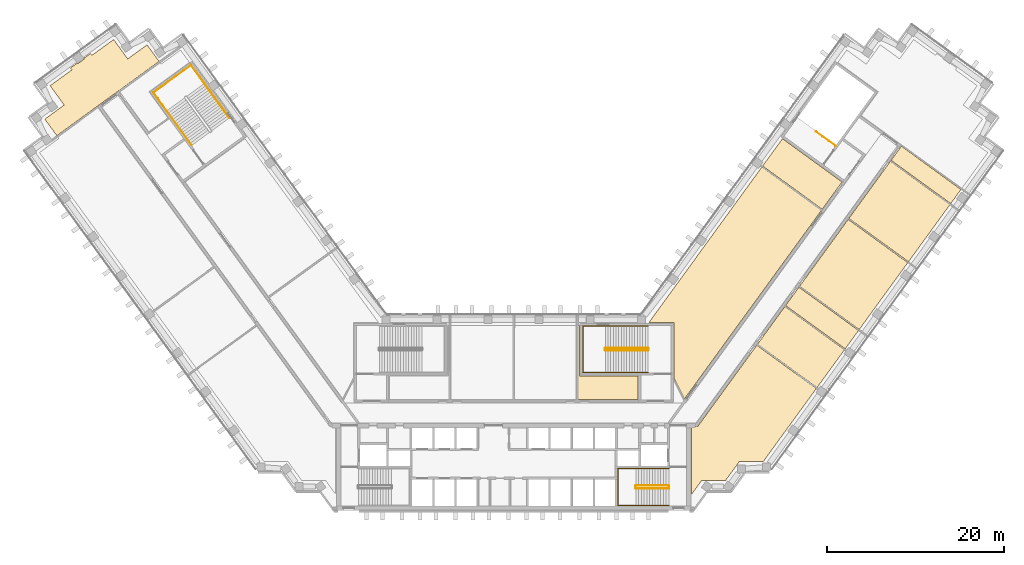
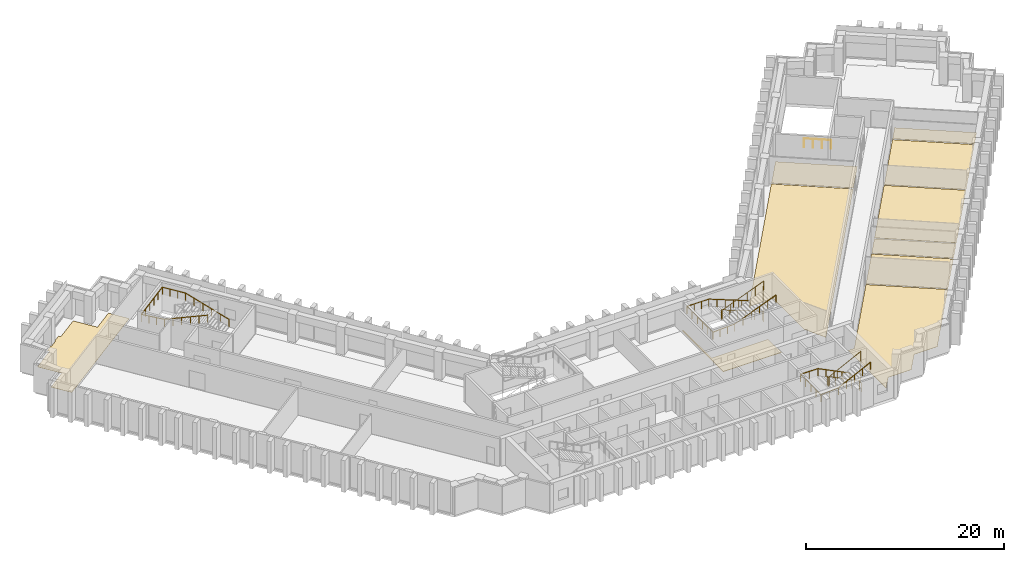
# One storey, part 11 of 12: 10 coverings, 6 railings.
"""IFC4 building model written with IfcOpenShell, lengths in metres."""

from ifc_helpers import new_model, si_unit, direction, frame, origin, origin_2d, place, context, subcontext, project, spatial, polyline, circle, outline, extrude, material, layer, layer_set, type_object, element, save


model = new_model("IFC4")

# Units and contexts
model_context = context("Model", 3, precision=1e-05, world=origin(), true_north=direction((0.0, 1.0)))
body_context = subcontext(model_context, "Body", "Model", "MODEL_VIEW")
ifc_project = project(units=[si_unit("LENGTHUNIT", "METRE"), si_unit("AREAUNIT", "SQUARE_METRE"), si_unit("VOLUMEUNIT", "CUBIC_METRE"), si_unit("PLANEANGLEUNIT", "RADIAN"), si_unit("MASSUNIT", "GRAM", prefix="KILO")], contexts=[model_context])

# Site, building, storey
site_placement = place(None, origin())
site = spatial("IfcSite", under=ifc_project, at=site_placement, CompositionType="ELEMENT")
building_placement = place(site_placement, origin())
building = spatial("IfcBuilding", under=site, at=building_placement, Name="Quipu Civic Tower", CompositionType="ELEMENT")
storey_placement = place(building_placement, frame((0.0, 0.0, 75.0)))
storey = spatial("IfcBuildingStorey", under=building, at=storey_placement, Name="L17", CompositionType="ELEMENT", Elevation=75.0)

# Coverings
ifc_material_1 = material(Name="Carpet tile on raised access floor")
ifc_layer_1 = layer(ifc_material_1, 0.02001953125)
ifc_layer_set_1 = layer_set([ifc_layer_1], Name="Carpet tile on raised access floor")
covering_type_1 = type_object("IfcCoveringType", Name="Carpet tile floor finish 20", PredefinedType="FLOORING", material=ifc_layer_set_1)
covering_1_placement = place(storey_placement, origin())
element("IfcCovering", 1, at=covering_1_placement, inside=storey, type_object=covering_type_1, Name="Carpet tile floor finish 20", PredefinedType="FLOORING", context=body_context, shape_type="SweptSolid", body=[
    extrude(outline(polyline([(27.4990234375, 7.73388671875), (30.590087890625, 11.989990234375), (37.31298828125, 7.10595703125), (34.221923828125, 2.85107421875), (27.4990234375, 7.73388671875)])), origin(), (0.0, 0.0, 1.0), 0.02001953125),
])
covering_2_placement = place(storey_placement, origin())
element("IfcCovering", 2, at=covering_2_placement, inside=storey, type_object=covering_type_1, Name="Carpet tile floor finish 20", PredefinedType="FLOORING", context=body_context, shape_type="SweptSolid", body=[
    extrude(outline(polyline([(37.81396484375, 21.93310546875), (42.491943359375, 28.373046875), (49.216064453125, 23.489013671875), (44.5380859375, 17.049072265625), (37.81396484375, 21.93310546875)])), origin(), (0.0, 0.0, 1.0), 0.02001953125),
])
covering_3_placement = place(storey_placement, origin())
element("IfcCovering", 3, at=covering_3_placement, inside=storey, type_object=covering_type_1, Name="Carpet tile floor finish 20", PredefinedType="FLOORING", context=body_context, shape_type="SweptSolid", body=[
    extrude(outline(polyline([(15.238037109375, 10.169921875), (27.99609375, 27.72998046875), (34.719970703125, 22.845947265625), (19.27197265625, 1.583984375), (18.070068359375, 3.94189453125), (18.070068359375, 10.1689453125), (15.238037109375, 10.169921875)])), origin(), (0.0, 0.0, 1.0), 0.02001953125),
])
covering_4_placement = place(storey_placement, origin())
element("IfcCovering", 4, at=covering_4_placement, inside=storey, type_object=covering_type_1, Name="Carpet tile floor finish 20", PredefinedType="FLOORING", context=body_context, shape_type="SweptSolid", body=[
    extrude(outline(polyline([(-52.883056640625, 33.12890625), (-50.698974609375, 34.717041015625), (-52.284912109375, 36.90087890625), (-49.826904296875, 38.68603515625), (-49.97900390625, 38.89697265625), (-49.259033203125, 39.4208984375), (-49.236083984375, 39.388916015625), (-49.23291015625, 39.385009765625), (-49.22900390625, 39.382080078125), (-49.22607421875, 39.3779296875), (-49.220947265625, 39.3759765625), (-49.217041015625, 39.373046875), (-49.212890625, 39.37109375), (-49.2080078125, 39.3701171875), (-49.202880859375, 39.368896484375), (-49.197998046875, 39.367919921875), (-49.193115234375, 39.367919921875), (-49.18896484375, 39.368896484375), (-49.18408203125, 39.3701171875), (-49.178955078125, 39.37109375), (-49.174072265625, 39.373046875), (-49.169921875, 39.375), (-49.166015625, 39.3779296875), (-48.43798828125, 39.906982421875), (-48.43408203125, 39.909912109375), (-48.430908203125, 39.9130859375), (-48.427001953125, 39.9169921875), (-48.425048828125, 39.9208984375), (-48.422119140625, 39.926025390625), (-48.419921875, 39.929931640625), (-48.4189453125, 39.93505859375), (-48.41796875, 39.93994140625), (-48.4169921875, 39.944091796875), (-48.4169921875, 39.948974609375), (-48.41796875, 39.9541015625), (-48.4189453125, 39.958984375), (-48.419921875, 39.964111328125), (-48.422119140625, 39.968017578125), (-48.424072265625, 39.972900390625), (-48.427001953125, 39.97705078125), (-48.449951171875, 40.008056640625), (-47.72900390625, 40.531982421875), (-47.574951171875, 40.322021484375), (-45.116943359375, 42.10791015625), (-43.531982421875, 39.925048828125), (-41.346923828125, 41.510986328125), (-39.989013671875, 39.64208984375), (-51.52587890625, 31.260009765625), (-52.883056640625, 33.12890625)])), origin(), (0.0, 0.0, 1.0), 0.02001953125),
])
covering_5_placement = place(storey_placement, origin())
element("IfcCovering", 5, at=covering_5_placement, inside=storey, type_object=covering_type_1, Name="Carpet tile floor finish 20", PredefinedType="FLOORING", context=body_context, shape_type="SweptSolid", body=[
    extrude(outline(polyline([(20.070068359375, -9.195068359375), (20.070068359375, -1.52001953125), (20.77490234375, -1.51904296875), (27.416015625, 7.62109375), (34.138916015625, 2.738037109375), (28.181884765625, -5.4609375), (25.48193359375, -5.4619140625), (25.2080078125, -5.840087890625), (25.205078125, -5.841064453125), (25.200927734375, -5.843017578125), (25.197021484375, -5.844970703125), (25.193115234375, -5.847900390625), (25.18896484375, -5.85205078125), (25.18603515625, -5.85498046875), (25.18310546875, -5.85888671875), (25.179931640625, -5.863037109375), (25.177978515625, -5.867919921875), (25.177001953125, -5.8720703125), (25.175048828125, -5.876953125), (25.175048828125, -5.882080078125), (25.174072265625, -5.885986328125), (23.89501953125, -7.64599609375), (21.721923828125, -7.64599609375), (21.721923828125, -7.64599609375), (21.718017578125, -7.64306640625), (21.712890625, -7.64111328125), (21.708984375, -7.638916015625), (21.7041015625, -7.637939453125), (21.698974609375, -7.636962890625), (21.694091796875, -7.635986328125), (21.68896484375, -7.636962890625), (21.68408203125, -7.636962890625), (21.679931640625, -7.637939453125), (21.675048828125, -7.639892578125), (21.669921875, -7.64111328125), (21.666015625, -7.64404296875), (21.6630859375, -7.64599609375), (21.196044921875, -7.64599609375), (20.070068359375, -9.195068359375)])), origin(), (0.0, 0.0, 1.0), 0.02001953125),
])
ifc_material_2 = material(Name="Ceramic floor tile")
ifc_layer_2 = layer(ifc_material_2, 0.030029296875)
ifc_layer_set_2 = layer_set([ifc_layer_2], Name="Ceramic floor tile")
covering_type_2 = type_object("IfcCoveringType", Name="Ceramic tile floor finish 30", PredefinedType="FLOORING", material=ifc_layer_set_2)
covering_6_placement = place(storey_placement, origin())
element("IfcCovering", 6, at=covering_6_placement, inside=storey, type_object=covering_type_2, Name="Ceramic tile floor finish 30", PredefinedType="FLOORING", context=body_context, shape_type="SweptSolid", body=[
    extrude(outline(polyline([(32.260009765625, 14.287109375), (37.73095703125, 21.820068359375), (44.455078125, 16.93603515625), (38.98291015625, 9.404052734375), (32.260009765625, 14.287109375)])), origin(), (0.0, 0.0, 1.0), 0.030029296875),
])
covering_7_placement = place(storey_placement, origin())
element("IfcCovering", 7, at=covering_7_placement, inside=storey, type_object=covering_type_2, Name="Ceramic tile floor finish 30", PredefinedType="FLOORING", context=body_context, shape_type="SweptSolid", body=[
    extrude(outline(polyline([(28.0791015625, 27.843017578125), (30.31494140625, 30.922119140625), (37.0380859375, 26.0380859375), (34.802001953125, 22.958984375), (28.0791015625, 27.843017578125)])), origin(), (0.0, 0.0, 1.0), 0.030029296875),
])
covering_8_placement = place(storey_placement, origin())
element("IfcCovering", 8, at=covering_8_placement, inside=storey, type_object=covering_type_2, Name="Ceramic tile floor finish 30", PredefinedType="FLOORING", context=body_context, shape_type="SweptSolid", body=[
    extrude(outline(polyline([(30.673095703125, 12.10302734375), (32.177001953125, 14.174072265625), (38.89990234375, 9.291015625), (37.39599609375, 7.218994140625), (30.673095703125, 12.10302734375)])), origin(), (0.0, 0.0, 1.0), 0.030029296875),
])
covering_9_placement = place(storey_placement, origin())
element("IfcCovering", 9, at=covering_9_placement, inside=storey, type_object=covering_type_2, Name="Ceramic tile floor finish 30", PredefinedType="FLOORING", context=body_context, shape_type="SweptSolid", body=[
    extrude(outline(polyline([(42.574951171875, 28.486083984375), (43.72998046875, 30.075927734375), (50.452880859375, 25.19189453125), (49.299072265625, 23.60205078125), (42.574951171875, 28.486083984375)])), origin(), (0.0, 0.0, 1.0), 0.030029296875),
])
ifc_material_3 = material(Name="Sealed cement screed")
ifc_layer_3 = layer(ifc_material_3, 0.050048828125)
ifc_layer_set_3 = layer_set([ifc_layer_3], Name="Sealed cement screed")
covering_type_3 = type_object("IfcCoveringType", Name="Sealed screed floor finish 50", PredefinedType="FLOORING", material=ifc_layer_set_3)
covering_10_placement = place(storey_placement, origin())
element("IfcCovering", 10, at=covering_10_placement, inside=storey, type_object=covering_type_3, Name="Sealed screed floor finish 50", PredefinedType="FLOORING", context=body_context, shape_type="SweptSolid", body=[
    extrude(outline(polyline([(7.26806640625, 1.52001953125), (7.26806640625, 9.830078125), (7.429931640625, 9.830078125), (7.429931640625, 4.180908203125), (14.030029296875, 4.179931640625), (14.030029296875, 1.52001953125), (7.26806640625, 1.52001953125)])), origin(), (0.0, 0.0, 1.0), 0.050048828125),
])

# Railings
ifc_material_4 = material(Name="Stainless steel", Category="steel")
railing_type_1 = type_object("IfcRailingType", Name="Stair guard 1100", PredefinedType="GUARDRAIL", material=ifc_material_4)
railing_1_placement = place(storey_placement, frame((17.5, -8.199951171875, 0.15380859375)))
element("IfcRailing", 11, at=railing_1_placement, inside=storey, type_object=railing_type_1, Name="Stair 2 guard", PredefinedType="GUARDRAIL", context=body_context, shape_type="SweptSolid", body=[
    extrude(circle(Radius=0.02392578125, at=origin_2d()), frame((0.0, 0.0, 1.076171875), z_axis=(-0.895751851347, 0.0, 0.444554407028), x_axis=(0.0, -1.0, 0.0)), (0.0, 0.0, 1.0), 4.15283203125),
    extrude(circle(Radius=0.02392578125, at=origin_2d()), frame((-3.719970703125, 0.0, 2.92236328125), z_axis=(-0.707106781187, -0.707106781187, 0.0), x_axis=(0.707106781187, -0.707106781187, 0.0)), (0.0, 0.0, 1.0), 0.07080078125),
    extrude(circle(Radius=0.02392578125, at=origin_2d()), frame((-3.77001953125, -0.050048828125, 2.92236328125), z_axis=(0.0, -1.0, 0.0), x_axis=(1.0, 0.0, 0.0)), (0.0, 0.0, 1.0), 0.25),
    extrude(circle(Radius=0.02392578125, at=origin_2d()), frame((-3.77001953125, -0.300048828125, 2.92236328125), z_axis=(0.295599637079, -0.295599637079, 0.908428152975), x_axis=(0.707106781187, 0.707106781187, 0.0)), (0.0, 0.0, 1.0), 0.16943359375),
    extrude(circle(Radius=0.02392578125, at=origin_2d()), frame((-3.719970703125, -0.35009765625, 3.076171875), z_axis=(0.895751851347, 0.0, 0.444554407028), x_axis=(0.0, 1.0, 0.0)), (0.0, 0.0, 1.0), 4.15283203125),
    extrude(circle(Radius=0.02392578125, at=origin_2d()), frame((0.0, -0.35009765625, 4.92236328125), z_axis=(0.012476181752, 0.074796231092, -0.997120789425), x_axis=(-0.986372223864, 0.164529134168, 0.0)), (0.0, 0.0, 1.0), 4.011474609375),
    extrude(circle(Radius=0.02392578125, at=origin_2d()), frame((0.050048828125, -0.050048828125, 0.92236328125), z_axis=(0.0, -1.0, 0.0), x_axis=(1.0, 0.0, 0.0)), (0.0, 0.0, 1.0), 0.25),
    extrude(circle(Radius=0.02099609375, at=origin_2d()), origin(), (0.0, 0.0, 1.0), 1.052001953125),
    extrude(circle(Radius=0.02099609375, at=origin_2d()), frame((-0.929931640625, 0.0, 0.46142578125)), (0.0, 0.0, 1.0), 1.052001953125),
    extrude(circle(Radius=0.02099609375, at=origin_2d()), frame((-1.85986328125, 0.0, 0.923095703125)), (0.0, 0.0, 1.0), 1.052001953125),
    extrude(circle(Radius=0.02099609375, at=origin_2d()), frame((-2.7900390625, 0.0, 1.384765625)), (0.0, 0.0, 1.0), 1.052001953125),
    extrude(circle(Radius=0.02099609375, at=origin_2d()), frame((-3.719970703125, 0.0, 1.84619140625)), (0.0, 0.0, 1.0), 1.052001953125),
    extrude(circle(Radius=0.02099609375, at=origin_2d()), frame((-3.77001953125, -0.050048828125, 1.84619140625)), (0.0, 0.0, 1.0), 1.052001953125),
    extrude(circle(Radius=0.02099609375, at=origin_2d()), frame((-3.77001953125, -0.300048828125, 1.84619140625)), (0.0, 0.0, 1.0), 1.052001953125),
    extrude(circle(Radius=0.02099609375, at=origin_2d()), frame((-3.719970703125, -0.35009765625, 2.0)), (0.0, 0.0, 1.0), 1.052001953125),
    extrude(circle(Radius=0.02099609375, at=origin_2d()), frame((-2.7900390625, -0.35009765625, 2.46142578125)), (0.0, 0.0, 1.0), 1.052001953125),
    extrude(circle(Radius=0.02099609375, at=origin_2d()), frame((-1.85986328125, -0.35009765625, 2.923095703125)), (0.0, 0.0, 1.0), 1.052001953125),
    extrude(circle(Radius=0.02099609375, at=origin_2d()), frame((-0.929931640625, -0.35009765625, 3.384765625)), (0.0, 0.0, 1.0), 1.052001953125),
    extrude(circle(Radius=0.02099609375, at=origin_2d()), frame((0.0, -0.35009765625, 3.84619140625)), (0.0, 0.0, 1.0), 1.052001953125),
    extrude(circle(Radius=0.02099609375, at=origin_2d()), frame((0.012451171875, -0.275146484375, 2.84619140625)), (0.0, 0.0, 1.0), 1.052001953125),
    extrude(circle(Radius=0.02099609375, at=origin_2d()), frame((0.02490234375, -0.2001953125, 1.84619140625)), (0.0, 0.0, 1.0), 1.052001953125),
    extrude(circle(Radius=0.02099609375, at=origin_2d()), frame((0.03759765625, -0.125, 0.84619140625)), (0.0, 0.0, 1.0), 1.052001953125),
    extrude(circle(Radius=0.02099609375, at=origin_2d()), frame((0.050048828125, -0.050048828125, -0.15380859375)), (0.0, 0.0, 1.0), 1.052001953125),
    extrude(circle(Radius=0.02099609375, at=origin_2d()), frame((0.050048828125, -0.300048828125, -0.15380859375)), (0.0, 0.0, 1.0), 1.052001953125),
])
railing_2_placement = place(storey_placement, frame((15.14990234375, 7.300048828125, 0.11767578125)))
element("IfcRailing", 12, at=railing_2_placement, inside=storey, type_object=railing_type_1, Name="Stair 4 guard", PredefinedType="GUARDRAIL", context=body_context, shape_type="SweptSolid", body=[
    extrude(circle(Radius=0.02392578125, at=origin_2d()), frame((0.0, 0.0, 1.076171875), z_axis=(-0.930970042603, 0.0, 0.365095576219), x_axis=(0.0, -1.0, 0.0)), (0.0, 0.0, 1.0), 5.15576171875),
    extrude(circle(Radius=0.02392578125, at=origin_2d()), frame((-4.7998046875, 0.0, 2.95849609375), z_axis=(-0.707106781187, -0.707106781187, 0.0), x_axis=(0.707106781187, -0.707106781187, 0.0)), (0.0, 0.0, 1.0), 0.07080078125),
    extrude(circle(Radius=0.02392578125, at=origin_2d()), frame((-4.849853515625, -0.050048828125, 2.95849609375), z_axis=(0.0, -1.0, 0.0), x_axis=(1.0, 0.0, 0.0)), (0.0, 0.0, 1.0), 0.14990234375),
    extrude(circle(Radius=0.02392578125, at=origin_2d()), frame((-4.849853515625, -0.199951171875, 2.95849609375), z_axis=(0.364463019033, -0.364463019033, 0.856932561824), x_axis=(0.707106781187, 0.707106781187, 0.0)), (0.0, 0.0, 1.0), 0.13720703125),
    extrude(circle(Radius=0.02392578125, at=origin_2d()), frame((-4.7998046875, -0.25, 3.076171875), z_axis=(0.930970042603, 0.0, 0.365095576219), x_axis=(0.0, 1.0, 0.0)), (0.0, 0.0, 1.0), 5.15576171875),
    extrude(circle(Radius=0.02392578125, at=origin_2d()), frame((0.0, -0.25, 4.95849609375), z_axis=(0.012495627992, 0.049921557685, -0.998674970829), x_axis=(-0.970072785993, 0.242814311512, 0.0)), (0.0, 0.0, 1.0), 4.00537109375),
    extrude(circle(Radius=0.02392578125, at=origin_2d()), frame((0.050048828125, -0.050048828125, 0.95849609375), z_axis=(0.0, -1.0, 0.0), x_axis=(1.0, 0.0, 0.0)), (0.0, 0.0, 1.0), 0.14990234375),
    extrude(circle(Radius=0.02099609375, at=origin_2d()), origin(), (0.0, 0.0, 1.0), 1.052001953125),
    extrude(circle(Radius=0.02099609375, at=origin_2d()), frame((-0.9599609375, 0.0, 0.37646484375)), (0.0, 0.0, 1.0), 1.052001953125),
    extrude(circle(Radius=0.02099609375, at=origin_2d()), frame((-1.919921875, 0.0, 0.7529296875)), (0.0, 0.0, 1.0), 1.052001953125),
    extrude(circle(Radius=0.02099609375, at=origin_2d()), frame((-2.8798828125, 0.0, 1.12939453125)), (0.0, 0.0, 1.0), 1.052001953125),
    extrude(circle(Radius=0.02099609375, at=origin_2d()), frame((-3.83984375, 0.0, 1.505859375)), (0.0, 0.0, 1.0), 1.052001953125),
    extrude(circle(Radius=0.02099609375, at=origin_2d()), frame((-4.7998046875, 0.0, 1.88232421875)), (0.0, 0.0, 1.0), 1.052001953125),
    extrude(circle(Radius=0.02099609375, at=origin_2d()), frame((-4.849853515625, -0.050048828125, 1.88232421875)), (0.0, 0.0, 1.0), 1.052001953125),
    extrude(circle(Radius=0.02099609375, at=origin_2d()), frame((-4.849853515625, -0.199951171875, 1.88232421875)), (0.0, 0.0, 1.0), 1.052001953125),
    extrude(circle(Radius=0.02099609375, at=origin_2d()), frame((-4.7998046875, -0.25, 2.0)), (0.0, 0.0, 1.0), 1.052001953125),
    extrude(circle(Radius=0.02099609375, at=origin_2d()), frame((-3.83984375, -0.25, 2.37646484375)), (0.0, 0.0, 1.0), 1.052001953125),
    extrude(circle(Radius=0.02099609375, at=origin_2d()), frame((-2.8798828125, -0.25, 2.7529296875)), (0.0, 0.0, 1.0), 1.052001953125),
    extrude(circle(Radius=0.02099609375, at=origin_2d()), frame((-1.919921875, -0.25, 3.12939453125)), (0.0, 0.0, 1.0), 1.052001953125),
    extrude(circle(Radius=0.02099609375, at=origin_2d()), frame((-0.9599609375, -0.25, 3.505859375)), (0.0, 0.0, 1.0), 1.052001953125),
    extrude(circle(Radius=0.02099609375, at=origin_2d()), frame((0.0, -0.25, 3.88232421875)), (0.0, 0.0, 1.0), 1.052001953125),
    extrude(circle(Radius=0.02099609375, at=origin_2d()), frame((0.012451171875, -0.199951171875, 2.88232421875)), (0.0, 0.0, 1.0), 1.052001953125),
    extrude(circle(Radius=0.02099609375, at=origin_2d()), frame((0.02490234375, -0.14990234375, 1.88232421875)), (0.0, 0.0, 1.0), 1.052001953125),
    extrude(circle(Radius=0.02099609375, at=origin_2d()), frame((0.03759765625, -0.10009765625, 0.88232421875)), (0.0, 0.0, 1.0), 1.052001953125),
    extrude(circle(Radius=0.02099609375, at=origin_2d()), frame((0.050048828125, -0.050048828125, -0.11767578125)), (0.0, 0.0, 1.0), 1.052001953125),
    extrude(circle(Radius=0.02099609375, at=origin_2d()), frame((0.050048828125, -0.199951171875, -0.11767578125)), (0.0, 0.0, 1.0), 1.052001953125),
])
railing_3_placement = place(storey_placement, frame((36.314697265625, 30.111083984375, 0.0)))
element("IfcRailing", 13, at=railing_3_placement, inside=storey, type_object=railing_type_1, Name="Stair 7 top guard", PredefinedType="GUARDRAIL", context=body_context, shape_type="SweptSolid", body=[
    extrude(circle(Radius=0.02392578125, at=origin_2d()), frame((0.0, 0.0, 1.076171875), z_axis=(-0.809016236931, 0.587786294823, 0.0), x_axis=(-0.587786294823, -0.809016236931, 0.0)), (0.0, 0.0, 1.0), 2.75),
    extrude(circle(Radius=0.02099609375, at=origin_2d()), origin(), (0.0, 0.0, 1.0), 1.052001953125),
    extrude(circle(Radius=0.02099609375, at=origin_2d()), frame((-0.74169921875, 0.538818359375, 0.0)), (0.0, 0.0, 1.0), 1.052001953125),
    extrude(circle(Radius=0.02099609375, at=origin_2d()), frame((-1.483154296875, 1.07763671875, 0.0)), (0.0, 0.0, 1.0), 1.052001953125),
    extrude(circle(Radius=0.02099609375, at=origin_2d()), frame((-2.224853515625, 1.616455078125, 0.0)), (0.0, 0.0, 1.0), 1.052001953125),
])
ifc_material_5 = material(Name="Stainless steel", Category="steel")
railing_type_2 = type_object("IfcRailingType", Name="Stair handrail", PredefinedType="HANDRAIL", material=ifc_material_5)
railing_4_placement = place(storey_placement, frame((17.5, -6.300048828125, 0.15380859375)))
element("IfcRailing", 14, at=railing_4_placement, inside=storey, type_object=railing_type_2, Name="Stair 2 handrail", PredefinedType="HANDRAIL", context=body_context, shape_type="SweptSolid", body=[
    extrude(circle(Radius=0.02392578125, at=origin_2d()), frame((0.0, 0.0, 0.8759765625), z_axis=(-0.895751851347, 0.0, 0.444554407028), x_axis=(0.0, -1.0, 0.0)), (0.0, 0.0, 1.0), 4.15283203125),
    extrude(circle(Radius=0.02392578125, at=origin_2d()), frame((-3.719970703125, 0.0, 2.72216796875), z_axis=(-1.0, 0.0, 0.0), x_axis=(0.0, -1.0, 0.0)), (0.0, 0.0, 1.0), 2.030029296875),
    extrude(circle(Radius=0.02392578125, at=origin_2d()), frame((-5.75, 0.0, 2.72216796875), z_axis=(0.0, -1.0, 0.0), x_axis=(1.0, 0.0, 0.0)), (0.0, 0.0, 1.0), 4.14990234375),
    extrude(circle(Radius=0.02392578125, at=origin_2d()), frame((-5.75, -4.14990234375, 2.72216796875), z_axis=(0.997142003663, 0.0, 0.075550145798), x_axis=(0.0, 1.0, 0.0)), (0.0, 0.0, 1.0), 2.035888671875),
    extrude(circle(Radius=0.02392578125, at=origin_2d()), frame((-3.719970703125, -4.14990234375, 2.8759765625), z_axis=(0.895751851347, 0.0, 0.444554407028), x_axis=(0.0, 1.0, 0.0)), (0.0, 0.0, 1.0), 4.15283203125),
    extrude(circle(Radius=0.02099609375, at=origin_2d()), origin(), (0.0, 0.0, 1.0), 0.851806640625),
    extrude(circle(Radius=0.02099609375, at=origin_2d()), frame((-0.929931640625, 0.0, 0.46142578125)), (0.0, 0.0, 1.0), 0.851806640625),
    extrude(circle(Radius=0.02099609375, at=origin_2d()), frame((-1.85986328125, 0.0, 0.923095703125)), (0.0, 0.0, 1.0), 0.851806640625),
    extrude(circle(Radius=0.02099609375, at=origin_2d()), frame((-2.7900390625, 0.0, 1.384765625)), (0.0, 0.0, 1.0), 0.851806640625),
    extrude(circle(Radius=0.02099609375, at=origin_2d()), frame((-3.719970703125, 0.0, 1.84619140625)), (0.0, 0.0, 1.0), 0.851806640625),
    extrude(circle(Radius=0.02099609375, at=origin_2d()), frame((-4.73486328125, 0.0, 1.84619140625)), (0.0, 0.0, 1.0), 0.851806640625),
    extrude(circle(Radius=0.02099609375, at=origin_2d()), frame((-5.75, 0.0, 1.84619140625)), (0.0, 0.0, 1.0), 0.851806640625),
    extrude(circle(Radius=0.02099609375, at=origin_2d()), frame((-5.75, -1.03759765625, 1.84619140625)), (0.0, 0.0, 1.0), 0.851806640625),
    extrude(circle(Radius=0.02099609375, at=origin_2d()), frame((-5.75, -2.074951171875, 1.84619140625)), (0.0, 0.0, 1.0), 0.851806640625),
    extrude(circle(Radius=0.02099609375, at=origin_2d()), frame((-5.75, -3.1123046875, 1.84619140625)), (0.0, 0.0, 1.0), 0.851806640625),
    extrude(circle(Radius=0.02099609375, at=origin_2d()), frame((-5.75, -4.14990234375, 1.84619140625)), (0.0, 0.0, 1.0), 0.851806640625),
    extrude(circle(Radius=0.02099609375, at=origin_2d()), frame((-4.73486328125, -4.14990234375, 1.923095703125)), (0.0, 0.0, 1.0), 0.851806640625),
    extrude(circle(Radius=0.02099609375, at=origin_2d()), frame((-3.719970703125, -4.14990234375, 2.0)), (0.0, 0.0, 1.0), 0.851806640625),
    extrude(circle(Radius=0.02099609375, at=origin_2d()), frame((-2.7900390625, -4.14990234375, 2.46142578125)), (0.0, 0.0, 1.0), 0.851806640625),
    extrude(circle(Radius=0.02099609375, at=origin_2d()), frame((-1.85986328125, -4.14990234375, 2.923095703125)), (0.0, 0.0, 1.0), 0.851806640625),
    extrude(circle(Radius=0.02099609375, at=origin_2d()), frame((-0.929931640625, -4.14990234375, 3.384765625)), (0.0, 0.0, 1.0), 0.851806640625),
    extrude(circle(Radius=0.02099609375, at=origin_2d()), frame((0.0, -4.14990234375, 3.84619140625)), (0.0, 0.0, 1.0), 0.851806640625),
])
railing_5_placement = place(storey_placement, frame((15.14990234375, 9.800048828125, 0.11767578125)))
element("IfcRailing", 15, at=railing_5_placement, inside=storey, type_object=railing_type_2, Name="Stair 4 handrail", PredefinedType="HANDRAIL", context=body_context, shape_type="SweptSolid", body=[
    extrude(circle(Radius=0.02392578125, at=origin_2d()), frame((0.0, 0.0, 0.8759765625), z_axis=(-0.930970042603, 0.0, 0.365095576219), x_axis=(0.0, -1.0, 0.0)), (0.0, 0.0, 1.0), 5.15576171875),
    extrude(circle(Radius=0.02392578125, at=origin_2d()), frame((-4.7998046875, 0.0, 2.75830078125), z_axis=(-1.0, 0.0, 0.0), x_axis=(0.0, -1.0, 0.0)), (0.0, 0.0, 1.0), 2.550048828125),
    extrude(circle(Radius=0.02392578125, at=origin_2d()), frame((-7.349853515625, 0.0, 2.75830078125), z_axis=(0.0, -1.0, 0.0), x_axis=(1.0, 0.0, 0.0)), (0.0, 0.0, 1.0), 5.25),
    extrude(circle(Radius=0.02392578125, at=origin_2d()), frame((-7.349853515625, -5.25, 2.75830078125), z_axis=(0.998936948642, 0.0, 0.04609742549), x_axis=(0.0, 1.0, 0.0)), (0.0, 0.0, 1.0), 2.552734375),
    extrude(circle(Radius=0.02392578125, at=origin_2d()), frame((-4.7998046875, -5.25, 2.8759765625), z_axis=(0.930970042603, 0.0, 0.365095576219), x_axis=(0.0, 1.0, 0.0)), (0.0, 0.0, 1.0), 5.15576171875),
    extrude(circle(Radius=0.02099609375, at=origin_2d()), origin(), (0.0, 0.0, 1.0), 0.851806640625),
    extrude(circle(Radius=0.02099609375, at=origin_2d()), frame((-0.9599609375, 0.0, 0.37646484375)), (0.0, 0.0, 1.0), 0.851806640625),
    extrude(circle(Radius=0.02099609375, at=origin_2d()), frame((-1.919921875, 0.0, 0.7529296875)), (0.0, 0.0, 1.0), 0.851806640625),
    extrude(circle(Radius=0.02099609375, at=origin_2d()), frame((-2.8798828125, 0.0, 1.12939453125)), (0.0, 0.0, 1.0), 0.851806640625),
    extrude(circle(Radius=0.02099609375, at=origin_2d()), frame((-3.83984375, 0.0, 1.505859375)), (0.0, 0.0, 1.0), 0.851806640625),
    extrude(circle(Radius=0.02099609375, at=origin_2d()), frame((-4.7998046875, 0.0, 1.88232421875)), (0.0, 0.0, 1.0), 0.851806640625),
    extrude(circle(Radius=0.02099609375, at=origin_2d()), frame((-5.64990234375, 0.0, 1.88232421875)), (0.0, 0.0, 1.0), 0.851806640625),
    extrude(circle(Radius=0.02099609375, at=origin_2d()), frame((-6.499755859375, 0.0, 1.88232421875)), (0.0, 0.0, 1.0), 0.851806640625),
    extrude(circle(Radius=0.02099609375, at=origin_2d()), frame((-7.349853515625, 0.0, 1.88232421875)), (0.0, 0.0, 1.0), 0.851806640625),
    extrude(circle(Radius=0.02099609375, at=origin_2d()), frame((-7.349853515625, -1.050048828125, 1.88232421875)), (0.0, 0.0, 1.0), 0.851806640625),
    extrude(circle(Radius=0.02099609375, at=origin_2d()), frame((-7.349853515625, -2.10009765625, 1.88232421875)), (0.0, 0.0, 1.0), 0.851806640625),
    extrude(circle(Radius=0.02099609375, at=origin_2d()), frame((-7.349853515625, -3.14990234375, 1.88232421875)), (0.0, 0.0, 1.0), 0.851806640625),
    extrude(circle(Radius=0.02099609375, at=origin_2d()), frame((-7.349853515625, -4.199951171875, 1.88232421875)), (0.0, 0.0, 1.0), 0.851806640625),
    extrude(circle(Radius=0.02099609375, at=origin_2d()), frame((-7.349853515625, -5.25, 1.88232421875)), (0.0, 0.0, 1.0), 0.851806640625),
    extrude(circle(Radius=0.02099609375, at=origin_2d()), frame((-6.499755859375, -5.25, 1.921630859375)), (0.0, 0.0, 1.0), 0.851806640625),
    extrude(circle(Radius=0.02099609375, at=origin_2d()), frame((-5.64990234375, -5.25, 1.960693359375)), (0.0, 0.0, 1.0), 0.851806640625),
    extrude(circle(Radius=0.02099609375, at=origin_2d()), frame((-4.7998046875, -5.25, 2.0)), (0.0, 0.0, 1.0), 0.851806640625),
    extrude(circle(Radius=0.02099609375, at=origin_2d()), frame((-3.83984375, -5.25, 2.37646484375)), (0.0, 0.0, 1.0), 0.851806640625),
    extrude(circle(Radius=0.02099609375, at=origin_2d()), frame((-2.8798828125, -5.25, 2.7529296875)), (0.0, 0.0, 1.0), 0.851806640625),
    extrude(circle(Radius=0.02099609375, at=origin_2d()), frame((-1.919921875, -5.25, 3.12939453125)), (0.0, 0.0, 1.0), 0.851806640625),
    extrude(circle(Radius=0.02099609375, at=origin_2d()), frame((-0.9599609375, -5.25, 3.505859375)), (0.0, 0.0, 1.0), 0.851806640625),
    extrude(circle(Radius=0.02099609375, at=origin_2d()), frame((0.0, -5.25, 3.88232421875)), (0.0, 0.0, 1.0), 0.851806640625),
])
railing_6_placement = place(storey_placement, frame((-32.056396484375, 33.266845703125, 0.11767578125)))
element("IfcRailing", 16, at=railing_6_placement, inside=storey, type_object=railing_type_2, Name="Stair 6 handrail", PredefinedType="HANDRAIL", context=body_context, shape_type="SweptSolid", body=[
    extrude(circle(Radius=0.02392578125, at=origin_2d()), frame((0.0, 0.0, 0.8759765625), z_axis=(-0.54720100349, 0.753182689643, 0.365084781664), x_axis=(-0.809026317077, -0.587772420479, 0.0)), (0.0, 0.0, 1.0), 5.15576171875),
    extrude(circle(Radius=0.02392578125, at=origin_2d()), frame((-2.8212890625, 3.88330078125, 2.75830078125), z_axis=(-0.587767432704, 0.809029940764, 0.0), x_axis=(-0.809029940764, -0.587767432704, 0.0)), (0.0, 0.0, 1.0), 2.550048828125),
    extrude(circle(Radius=0.02392578125, at=origin_2d()), frame((-4.320068359375, 5.9462890625, 2.75830078125), z_axis=(-0.809009483706, -0.587795589702, 0.0), x_axis=(0.587795589702, -0.809009483706, 0.0)), (0.0, 0.0, 1.0), 5.25),
    extrude(circle(Radius=0.02392578125, at=origin_2d()), frame((-8.5673828125, 2.8603515625, 2.75830078125), z_axis=(0.587142558822, -0.808169835812, 0.046099155132), x_axis=(0.809029940764, 0.587767432704, 0.0)), (0.0, 0.0, 1.0), 2.552734375),
    extrude(circle(Radius=0.02392578125, at=origin_2d()), frame((-7.068603515625, 0.79736328125, 2.8759765625), z_axis=(0.54720100349, -0.753182689643, 0.365084781664), x_axis=(0.809026317077, 0.587772420479, 0.0)), (0.0, 0.0, 1.0), 5.15576171875),
    extrude(circle(Radius=0.02099609375, at=origin_2d()), origin(), (0.0, 0.0, 1.0), 0.851806640625),
    extrude(circle(Radius=0.02099609375, at=origin_2d()), frame((-0.564208984375, 0.776611328125, 0.37646484375)), (0.0, 0.0, 1.0), 0.851806640625),
    extrude(circle(Radius=0.02099609375, at=origin_2d()), frame((-1.12841796875, 1.55322265625, 0.7529296875)), (0.0, 0.0, 1.0), 0.851806640625),
    extrude(circle(Radius=0.02099609375, at=origin_2d()), frame((-1.69287109375, 2.330078125, 1.12939453125)), (0.0, 0.0, 1.0), 0.851806640625),
    extrude(circle(Radius=0.02099609375, at=origin_2d()), frame((-2.257080078125, 3.106689453125, 1.505859375)), (0.0, 0.0, 1.0), 0.851806640625),
    extrude(circle(Radius=0.02099609375, at=origin_2d()), frame((-2.8212890625, 3.88330078125, 1.88232421875)), (0.0, 0.0, 1.0), 0.851806640625),
    extrude(circle(Radius=0.02099609375, at=origin_2d()), frame((-3.32080078125, 4.571044921875, 1.88232421875)), (0.0, 0.0, 1.0), 0.851806640625),
    extrude(circle(Radius=0.02099609375, at=origin_2d()), frame((-3.820556640625, 5.258544921875, 1.88232421875)), (0.0, 0.0, 1.0), 0.851806640625),
    extrude(circle(Radius=0.02099609375, at=origin_2d()), frame((-4.320068359375, 5.9462890625, 1.88232421875)), (0.0, 0.0, 1.0), 0.851806640625),
    extrude(circle(Radius=0.02099609375, at=origin_2d()), frame((-5.16943359375, 5.3291015625, 1.88232421875)), (0.0, 0.0, 1.0), 0.851806640625),
    extrude(circle(Radius=0.02099609375, at=origin_2d()), frame((-6.01904296875, 4.7119140625, 1.88232421875)), (0.0, 0.0, 1.0), 0.851806640625),
    extrude(circle(Radius=0.02099609375, at=origin_2d()), frame((-6.868408203125, 4.0947265625, 1.88232421875)), (0.0, 0.0, 1.0), 0.851806640625),
    extrude(circle(Radius=0.02099609375, at=origin_2d()), frame((-7.718017578125, 3.4775390625, 1.88232421875)), (0.0, 0.0, 1.0), 0.851806640625),
    extrude(circle(Radius=0.02099609375, at=origin_2d()), frame((-8.5673828125, 2.8603515625, 1.88232421875)), (0.0, 0.0, 1.0), 0.851806640625),
    extrude(circle(Radius=0.02099609375, at=origin_2d()), frame((-8.06787109375, 2.172607421875, 1.921630859375)), (0.0, 0.0, 1.0), 0.851806640625),
    extrude(circle(Radius=0.02099609375, at=origin_2d()), frame((-7.568115234375, 1.485107421875, 1.960693359375)), (0.0, 0.0, 1.0), 0.851806640625),
    extrude(circle(Radius=0.02099609375, at=origin_2d()), frame((-7.068603515625, 0.79736328125, 2.0)), (0.0, 0.0, 1.0), 0.851806640625),
    extrude(circle(Radius=0.02099609375, at=origin_2d()), frame((-6.50439453125, 0.020751953125, 2.37646484375)), (0.0, 0.0, 1.0), 0.851806640625),
    extrude(circle(Radius=0.02099609375, at=origin_2d()), frame((-5.940185546875, -0.755859375, 2.7529296875)), (0.0, 0.0, 1.0), 0.851806640625),
    extrude(circle(Radius=0.02099609375, at=origin_2d()), frame((-5.375732421875, -1.53271484375, 3.12939453125)), (0.0, 0.0, 1.0), 0.851806640625),
    extrude(circle(Radius=0.02099609375, at=origin_2d()), frame((-4.8115234375, -2.309326171875, 3.505859375)), (0.0, 0.0, 1.0), 0.851806640625),
    extrude(circle(Radius=0.02099609375, at=origin_2d()), frame((-4.247314453125, -3.0859375, 3.88232421875)), (0.0, 0.0, 1.0), 0.851806640625),
])

save(model, "model.ifc")
